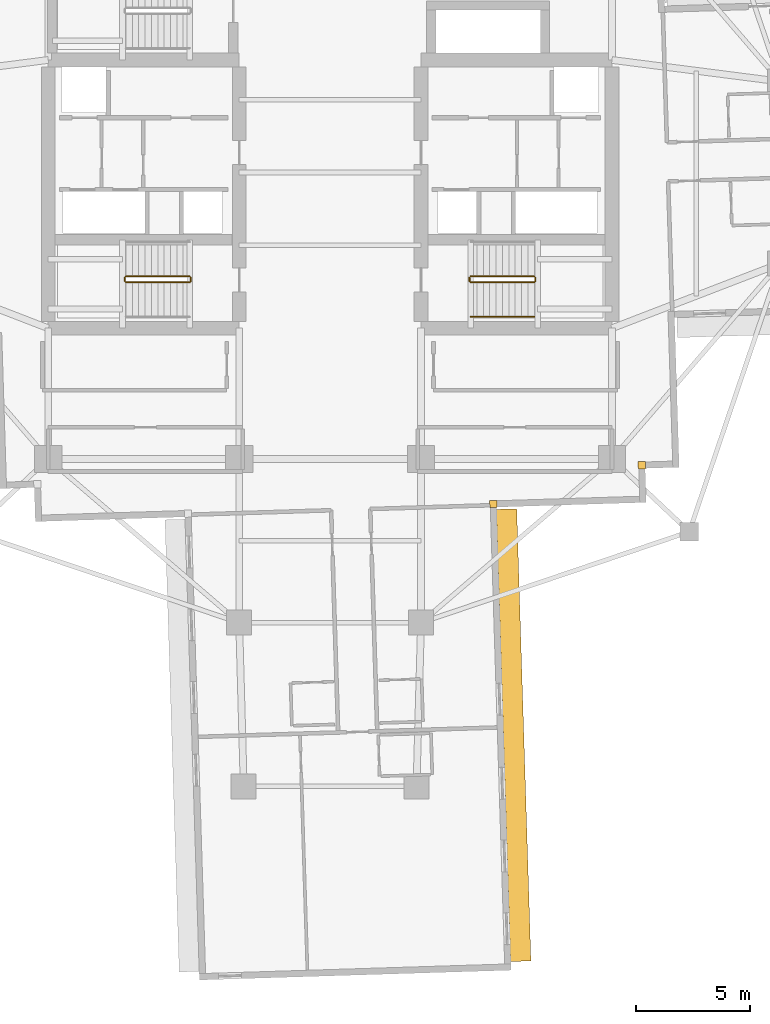
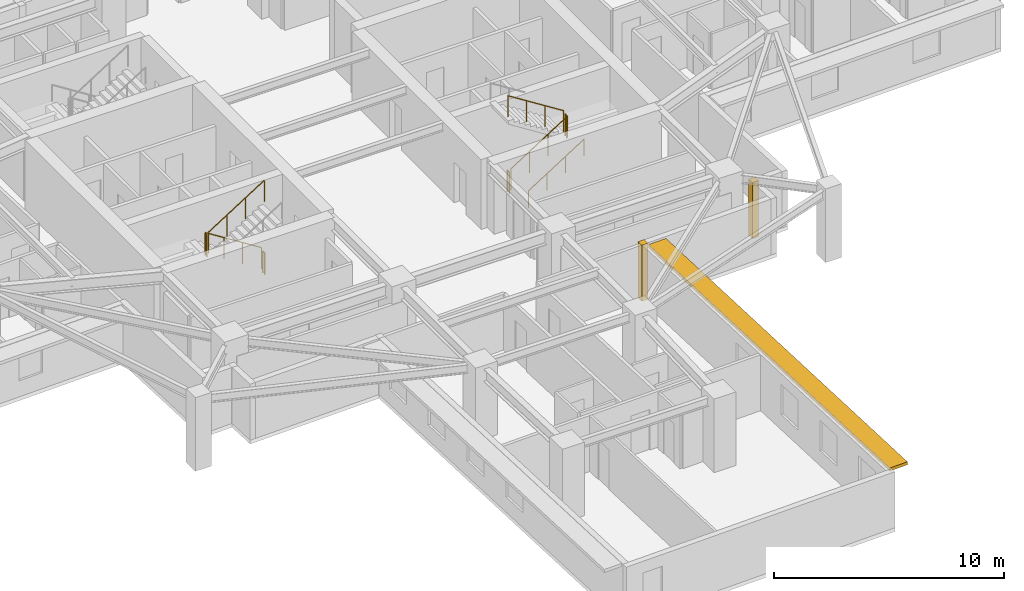
# One storey, part 11 of 14: 9 railings, 2 coverings, 1 shading device.
"""IFC4 building model written with IfcOpenShell, lengths in metres."""

from ifc_helpers import new_model, si_unit, direction, frame, origin, origin_2d, place, context, subcontext, project, spatial, rectangle, circle, extrude, material, layer, layer_set, type_object, element, save


model = new_model("IFC4")

# Units and contexts
model_context = context("Model", 3, precision=1e-05, world=origin(), true_north=direction((0.0, 1.0)))
body_context = subcontext(model_context, "Body", "Model", "MODEL_VIEW")
ifc_project = project(units=[si_unit("LENGTHUNIT", "METRE"), si_unit("AREAUNIT", "SQUARE_METRE"), si_unit("VOLUMEUNIT", "CUBIC_METRE"), si_unit("PLANEANGLEUNIT", "RADIAN"), si_unit("MASSUNIT", "GRAM", prefix="KILO")], contexts=[model_context])

# Site, building, storey
site_placement = place(None, origin())
site = spatial("IfcSite", under=ifc_project, at=site_placement, CompositionType="ELEMENT")
building_placement = place(site_placement, origin())
building = spatial("IfcBuilding", under=site, at=building_placement, Name="Qingluan Cross Belvedere", CompositionType="ELEMENT")
storey_placement = place(building_placement, frame((0.0, 0.0, 135.89990234375)))
storey = spatial("IfcBuildingStorey", under=building, at=storey_placement, Name="L34", CompositionType="ELEMENT", Elevation=135.89990234375)

# Coverings
ifc_material_1 = material(Name="Precast concrete C45", Category="concrete")
ifc_layer_1 = layer(ifc_material_1, 0.1201171875, Name="ConcreteSpandrelCladding_120")
ifc_layer_set_1 = layer_set([ifc_layer_1], Name="Precast concrete C45")
covering_type = type_object("IfcCoveringType", Name="ConcreteSpandrelCladding_120", PredefinedType="CLADDING", material=ifc_layer_set_1)
for number, where, z_axis, x_axis, name in (
    (1, (13.711181640625, -12.875732421875, 0.0), (0.0, 0.0, 1.0), (0.999506560366, 0.031410759078, 0.0), "Corner closure L34-SE1"),
    (2, (7.181640625, -14.58154296875, 0.0), (0.0, 0.0, 1.0), (0.999506560366, 0.031410759078, 0.0), "Corner closure L34-SE2"),
):
    element("IfcCovering", number, at=place(storey_placement, frame(where, z_axis=z_axis, x_axis=x_axis)), inside=storey, type_object=covering_type, Name=name, PredefinedType="CLADDING", context=body_context, shape_type="SweptSolid", body=[
        extrude(rectangle(XDim=0.320068359375, YDim=0.320068359375, at=origin_2d()), origin(), (0.0, 0.0, 1.0), 2.969970703125),
    ])

# Shading device
ifc_material_2 = material(Name="Precast concrete C45", Category="concrete")
ifc_layer_2 = layer(ifc_material_2, 0.159912109375, Name="ConcreteSunshadeBand_900")
ifc_layer_set_2 = layer_set([ifc_layer_2], Name="Precast concrete C45")
shading_device_type = type_object("IfcShadingDeviceType", Name="ConcreteSunshadeBand_900", PredefinedType="USERDEFINED", material=ifc_layer_set_2)
shading_device_placement = place(storey_placement, frame((8.0712890625, -24.74853515625, 2.7900390625), z_axis=(0.0, 0.0, 1.0), x_axis=(-0.031407934627, 0.999506649124, 0.0)))
element("IfcShadingDevice", 3, at=shading_device_placement, inside=storey, type_object=shading_device_type, Name="Concrete SUNSHADE L34-SB", ObjectType="SUNSHADE", PredefinedType="USERDEFINED", context=body_context, shape_type="SweptSolid", body=[
    extrude(rectangle(XDim=19.89990234375, YDim=0.89990234375, at=origin_2d()), origin(), (0.0, 0.0, 1.0), 0.159912109375),
])

# Railings
ifc_material_3 = material(Name="Brushed stainless steel tubular handrail", Category="steel")
railing_type_1 = type_object("IfcRailingType", Name="StairPitchHandrail_900", PredefinedType="HANDRAIL", material=ifc_material_3)
railing_1_placement = place(storey_placement, frame((6.179931640625, -6.35009765625, 0.177490234375)))
element("IfcRailing", 4, at=railing_1_placement, inside=storey, type_object=railing_type_1, Name="L34 ST2 stair handrail 1", PredefinedType="HANDRAIL", context=body_context, shape_type="SweptSolid", body=[
    extrude(circle(Radius=0.02392578125, at=origin_2d()), frame((0.0, 0.0, 0.8759765625), z_axis=(0.844908973607, 0.0, 0.534910110503), x_axis=(0.0, 1.0, 0.0)), (0.0, 0.0, 1.0), 3.31396484375),
    extrude(circle(Radius=0.02099609375, at=origin_2d()), origin(), (0.0, 0.0, 1.0), 0.851806640625),
    extrude(circle(Radius=0.02099609375, at=origin_2d()), frame((0.933349609375, 0.0, 0.5908203125)), (0.0, 0.0, 1.0), 0.851806640625),
    extrude(circle(Radius=0.02099609375, at=origin_2d()), frame((1.86669921875, 0.0, 1.181884765625)), (0.0, 0.0, 1.0), 0.851806640625),
    extrude(circle(Radius=0.02099609375, at=origin_2d()), frame((2.800048828125, 0.0, 1.772705078125)), (0.0, 0.0, 1.0), 0.851806640625),
])
ifc_material_4 = material(Name="Painted steel stair well guard", Category="steel")
railing_type_2 = type_object("IfcRailingType", Name="StairWellGuard_1150", PredefinedType="BALUSTRADE", material=ifc_material_4)
railing_2_placement = place(storey_placement, frame((-6.179931640625, -4.570068359375, 0.177490234375)))
element("IfcRailing", 5, at=railing_2_placement, inside=storey, type_object=railing_type_2, Name="L34 ST1 stair guard 1", PredefinedType="BALUSTRADE", context=body_context, shape_type="SweptSolid", body=[
    extrude(circle(Radius=0.02392578125, at=origin_2d()), frame((0.0, 0.0, 1.1259765625), z_axis=(-0.844908973607, 0.0, 0.534910110503), x_axis=(0.0, -1.0, 0.0)), (0.0, 0.0, 1.0), 3.31396484375),
    extrude(circle(Radius=0.02099609375, at=origin_2d()), origin(), (0.0, 0.0, 1.0), 1.101806640625),
    extrude(circle(Radius=0.02099609375, at=origin_2d()), frame((-0.933349609375, 0.0, 0.5908203125)), (0.0, 0.0, 1.0), 1.101806640625),
    extrude(circle(Radius=0.02099609375, at=origin_2d()), frame((-1.86669921875, 0.0, 1.181884765625)), (0.0, 0.0, 1.0), 1.101806640625),
    extrude(circle(Radius=0.02099609375, at=origin_2d()), frame((-2.800048828125, 0.0, 1.772705078125)), (0.0, 0.0, 1.0), 1.101806640625),
])
railing_3_placement = place(storey_placement, frame((-9.030029296875, -4.6201171875, 1.9501953125)))
element("IfcRailing", 6, at=railing_3_placement, inside=storey, type_object=railing_type_2, Name="L34 ST1 stair guard 2", PredefinedType="BALUSTRADE", context=body_context, shape_type="SweptSolid", body=[
    extrude(circle(Radius=0.02392578125, at=origin_2d()), frame((0.0, 0.0, 1.1259765625), z_axis=(0.0, -1.0, 0.0), x_axis=(1.0, 0.0, 0.0)), (0.0, 0.0, 1.0), 0.159912109375),
    extrude(circle(Radius=0.02099609375, at=origin_2d()), origin(), (0.0, 0.0, 1.0), 1.101806640625),
    extrude(circle(Radius=0.02099609375, at=origin_2d()), frame((0.0, -0.159912109375, 0.0)), (0.0, 0.0, 1.0), 1.101806640625),
])
railing_4_placement = place(storey_placement, frame((-8.97998046875, -4.830078125, 2.12744140625)))
element("IfcRailing", 7, at=railing_4_placement, inside=storey, type_object=railing_type_2, Name="L34 ST1 stair guard 3", PredefinedType="BALUSTRADE", context=body_context, shape_type="SweptSolid", body=[
    extrude(circle(Radius=0.02392578125, at=origin_2d()), frame((0.0, 0.0, 1.1259765625), z_axis=(0.844908973607, 0.0, 0.534910110503), x_axis=(0.0, 1.0, 0.0)), (0.0, 0.0, 1.0), 3.31396484375),
    extrude(circle(Radius=0.02099609375, at=origin_2d()), origin(), (0.0, 0.0, 1.0), 1.101806640625),
    extrude(circle(Radius=0.02099609375, at=origin_2d()), frame((0.933349609375, 0.0, 0.5908203125)), (0.0, 0.0, 1.0), 1.101806640625),
    extrude(circle(Radius=0.02099609375, at=origin_2d()), frame((1.86669921875, 0.0, 1.181884765625)), (0.0, 0.0, 1.0), 1.101806640625),
    extrude(circle(Radius=0.02099609375, at=origin_2d()), frame((2.800048828125, 0.0, 1.772705078125)), (0.0, 0.0, 1.0), 1.101806640625),
])
railing_5_placement = place(storey_placement, frame((-6.1298828125, -4.6201171875, 0.0)))
element("IfcRailing", 8, at=railing_5_placement, inside=storey, type_object=railing_type_2, Name="L34 ST1 stair guard 4", PredefinedType="BALUSTRADE", context=body_context, shape_type="SweptSolid", body=[
    extrude(circle(Radius=0.02392578125, at=origin_2d()), frame((0.0, 0.0, 1.1259765625), z_axis=(0.0, -1.0, 0.0), x_axis=(1.0, 0.0, 0.0)), (0.0, 0.0, 1.0), 0.159912109375),
    extrude(circle(Radius=0.02099609375, at=origin_2d()), origin(), (0.0, 0.0, 1.0), 1.101806640625),
    extrude(circle(Radius=0.02099609375, at=origin_2d()), frame((0.0, -0.159912109375, 0.0)), (0.0, 0.0, 1.0), 1.101806640625),
])
railing_6_placement = place(storey_placement, frame((6.179931640625, -4.830078125, 0.177490234375)))
element("IfcRailing", 9, at=railing_6_placement, inside=storey, type_object=railing_type_2, Name="L34 ST2 stair guard 1", PredefinedType="BALUSTRADE", context=body_context, shape_type="SweptSolid", body=[
    extrude(circle(Radius=0.02392578125, at=origin_2d()), frame((0.0, 0.0, 1.1259765625), z_axis=(0.844908973607, 0.0, 0.534910110503), x_axis=(0.0, 1.0, 0.0)), (0.0, 0.0, 1.0), 3.31396484375),
    extrude(circle(Radius=0.02099609375, at=origin_2d()), origin(), (0.0, 0.0, 1.0), 1.101806640625),
    extrude(circle(Radius=0.02099609375, at=origin_2d()), frame((0.933349609375, 0.0, 0.5908203125)), (0.0, 0.0, 1.0), 1.101806640625),
    extrude(circle(Radius=0.02099609375, at=origin_2d()), frame((1.86669921875, 0.0, 1.181884765625)), (0.0, 0.0, 1.0), 1.101806640625),
    extrude(circle(Radius=0.02099609375, at=origin_2d()), frame((2.800048828125, 0.0, 1.772705078125)), (0.0, 0.0, 1.0), 1.101806640625),
])
railing_7_placement = place(storey_placement, frame((9.030029296875, -4.780029296875, 1.9501953125)))
element("IfcRailing", 10, at=railing_7_placement, inside=storey, type_object=railing_type_2, Name="L34 ST2 stair guard 2", PredefinedType="BALUSTRADE", context=body_context, shape_type="SweptSolid", body=[
    extrude(circle(Radius=0.02392578125, at=origin_2d()), frame((0.0, 0.0, 1.1259765625), z_axis=(0.0, 1.0, 0.0), x_axis=(-1.0, 0.0, 0.0)), (0.0, 0.0, 1.0), 0.159912109375),
    extrude(circle(Radius=0.02099609375, at=origin_2d()), origin(), (0.0, 0.0, 1.0), 1.101806640625),
    extrude(circle(Radius=0.02099609375, at=origin_2d()), frame((0.0, 0.159912109375, 0.0)), (0.0, 0.0, 1.0), 1.101806640625),
])
railing_8_placement = place(storey_placement, frame((8.97998046875, -4.570068359375, 2.12744140625)))
element("IfcRailing", 11, at=railing_8_placement, inside=storey, type_object=railing_type_2, Name="L34 ST2 stair guard 3", PredefinedType="BALUSTRADE", context=body_context, shape_type="SweptSolid", body=[
    extrude(circle(Radius=0.02392578125, at=origin_2d()), frame((0.0, 0.0, 1.1259765625), z_axis=(-0.844908973607, 0.0, 0.534910110503), x_axis=(0.0, -1.0, 0.0)), (0.0, 0.0, 1.0), 3.31396484375),
    extrude(circle(Radius=0.02099609375, at=origin_2d()), origin(), (0.0, 0.0, 1.0), 1.101806640625),
    extrude(circle(Radius=0.02099609375, at=origin_2d()), frame((-0.933349609375, 0.0, 0.5908203125)), (0.0, 0.0, 1.0), 1.101806640625),
    extrude(circle(Radius=0.02099609375, at=origin_2d()), frame((-1.86669921875, 0.0, 1.181884765625)), (0.0, 0.0, 1.0), 1.101806640625),
    extrude(circle(Radius=0.02099609375, at=origin_2d()), frame((-2.800048828125, 0.0, 1.772705078125)), (0.0, 0.0, 1.0), 1.101806640625),
])
railing_9_placement = place(storey_placement, frame((6.1298828125, -4.780029296875, 0.0)))
element("IfcRailing", 12, at=railing_9_placement, inside=storey, type_object=railing_type_2, Name="L34 ST2 stair guard 4", PredefinedType="BALUSTRADE", context=body_context, shape_type="SweptSolid", body=[
    extrude(circle(Radius=0.02392578125, at=origin_2d()), frame((0.0, 0.0, 1.1259765625), z_axis=(0.0, 1.0, 0.0), x_axis=(-1.0, 0.0, 0.0)), (0.0, 0.0, 1.0), 0.159912109375),
    extrude(circle(Radius=0.02099609375, at=origin_2d()), origin(), (0.0, 0.0, 1.0), 1.101806640625),
    extrude(circle(Radius=0.02099609375, at=origin_2d()), frame((0.0, 0.159912109375, 0.0)), (0.0, 0.0, 1.0), 1.101806640625),
])

save(model, "model.ifc")
